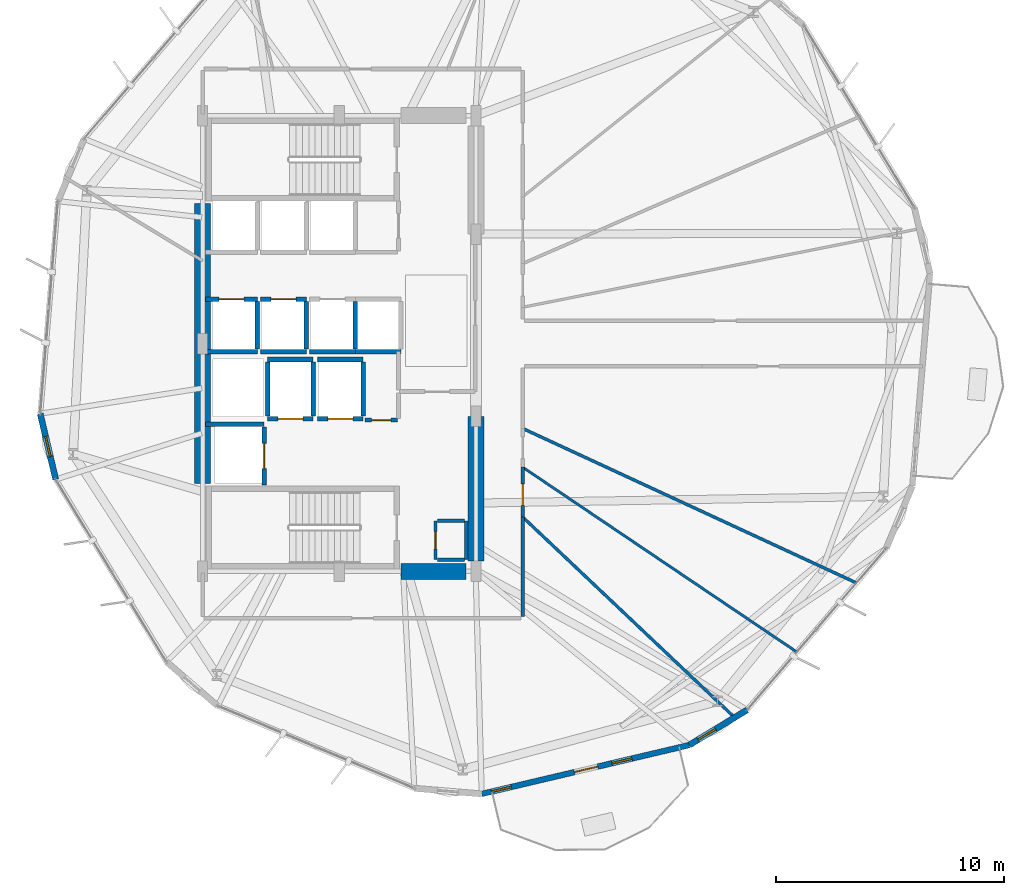
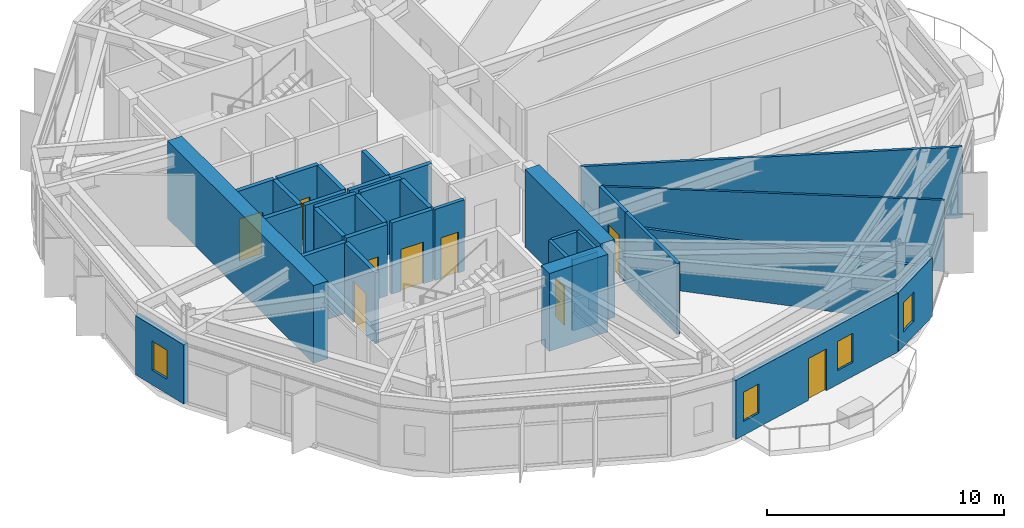
# One storey, part 16 of 21: 34 walls, 9 doors, 4 windows, 13 openings.
"""IFC4 building model written with IfcOpenShell, lengths in metres."""

import ifcopenshell
import ifcopenshell.guid

model = None  # the IFC model being written
_history = None  # IfcOwnerHistory: only IFC2X3 demands one
_inside = {}  # id of a spatial element -> (the spatial element, [elements in it])
_under = {}  # id of a project, library or spatial element -> (it, [spatial elements below it])
_declared = {}  # id of a project -> (the project, [libraries it declares])
_typed = {}  # id of a type object -> (the type object, [elements of that type])
_made_of = {}  # id of a material, layer set ... -> (it, [elements and type objects made of it])


def new_model(schema):
    """Start an empty IFC model of exactly this schema.

    Asked for "IFC4X3", IfcOpenShell would pick the latest addendum, in which some entities
    have other attributes; the version numbers below select the first issue.
    IFC2X3 requires an IfcOwnerHistory on every rooted entity: one is made here for all.
    """
    global model, _history
    if schema == "IFC4X3":
        model = ifcopenshell.file(schema_version=(4, 3, 0, 0))
    else:
        model = ifcopenshell.file(schema=schema)
    _inside.clear()
    _under.clear()
    _declared.clear()
    _typed.clear()
    _made_of.clear()
    _history = None
    if model.schema == "IFC2X3":
        org = make("IfcOrganization", Name="unknown")
        user = make(
            "IfcPersonAndOrganization",
            ThePerson=make("IfcPerson", FamilyName="unknown"),
            TheOrganization=org,
        )
        app = make(
            "IfcApplication",
            ApplicationDeveloper=org,
            Version="unknown",
            ApplicationFullName="unknown",
            ApplicationIdentifier="unknown",
        )
        _history = make(
            "IfcOwnerHistory",
            OwningUser=user,
            OwningApplication=app,
            ChangeAction="ADDED",
            CreationDate=0,
        )
    return model


def make(cls, **values):
    """One entity of the class cls with the attributes given. An attribute that is None is left unset."""
    return model.create_entity(
        cls, **{name: value for name, value in values.items() if value is not None}
    )


def rooted(cls, **values):
    """An entity with a GlobalId (a new one), such as an element, a storey or a relation."""
    return make(cls, GlobalId=ifcopenshell.guid.new(), OwnerHistory=_history, **values)


def si_unit(unit_type, name, prefix=None):
    """IfcSIUnit, for example si_unit("LENGTHUNIT", "METRE", prefix="MILLI")."""
    return make("IfcSIUnit", UnitType=unit_type, Prefix=prefix, Name=name)


def assignment(units):
    """IfcUnitAssignment: the units of a project."""
    return None if units is None else make("IfcUnitAssignment", Units=units)


def point(xyz):
    """IfcCartesianPoint."""
    return None if xyz is None else make("IfcCartesianPoint", Coordinates=xyz)


def direction(xyz):
    """IfcDirection."""
    return None if xyz is None else make("IfcDirection", DirectionRatios=xyz)


def frame(location, z_axis=None, x_axis=None):
    """IfcAxis2Placement3D, a coordinate frame: its origin and axes. An axis left out is left unset."""
    return make(
        "IfcAxis2Placement3D",
        Location=point(location),
        Axis=direction(z_axis),
        RefDirection=direction(x_axis),
    )


def frame_2d(location, x_axis=None):
    """IfcAxis2Placement2D, a coordinate frame in the plane: its origin and x axis."""
    return make(
        "IfcAxis2Placement2D", Location=point(location), RefDirection=direction(x_axis)
    )


def origin():
    """The frame at (0, 0, 0) with its axes left unset."""
    return frame((0.0, 0.0, 0.0))


def place(relative_to, where):
    """IfcLocalPlacement: puts the frame where relative to a parent placement (None: the world)."""
    return make(
        "IfcLocalPlacement", PlacementRelTo=relative_to, RelativePlacement=where
    )


def context(
    kind, dimensions, precision=None, world=None, true_north=None, identifier=None
):
    """IfcGeometricRepresentationContext, for example the 3D "Model" context."""
    return make(
        "IfcGeometricRepresentationContext",
        ContextIdentifier=identifier,
        ContextType=kind,
        CoordinateSpaceDimension=dimensions,
        Precision=precision,
        WorldCoordinateSystem=world,
        TrueNorth=true_north,
    )


def subcontext(parent, identifier, kind, view, scale=None):
    """IfcGeometricRepresentationSubContext, for example "Body" below "Model"."""
    return make(
        "IfcGeometricRepresentationSubContext",
        ContextIdentifier=identifier,
        ContextType=kind,
        ParentContext=parent,
        TargetScale=scale,
        TargetView=view,
    )


def project(units=None, contexts=None):
    """IfcProject with its units and contexts."""
    return rooted(
        "IfcProject",
        Name="project",
        RepresentationContexts=contexts,
        UnitsInContext=assignment(units),
    )


def spatial(cls, under=None, at=None, **own):
    """A site, building, storey or space (cls), placed at a placement, below another one or the project."""
    s = rooted(cls, ObjectPlacement=at, **own)
    if under is not None:
        _under.setdefault(under.id(), (under, []))[1].append(s)
    return s


def profile(cls, at=None, kind="AREA", **sizes):
    """A parametric profile (cls). Its sizes go by their IFC names, for example OverallWidth=200.0."""
    return make(cls, ProfileType=kind, Position=at, **sizes)


def rectangle(**sizes):
    """IfcRectangleProfileDef."""
    return profile("IfcRectangleProfileDef", **sizes)


def extrude(swept, where, along, depth):
    """IfcExtrudedAreaSolid: the profile swept, set in the frame where, extruded along a direction by depth."""
    return make(
        "IfcExtrudedAreaSolid",
        SweptArea=swept,
        Position=where,
        ExtrudedDirection=direction(along),
        Depth=depth,
    )


def shape(context_of_items, identifier, shape_type, items):
    """IfcShapeRepresentation: the items that make up one representation, for example the "Body"."""
    return make(
        "IfcShapeRepresentation",
        ContextOfItems=context_of_items,
        RepresentationIdentifier=identifier,
        RepresentationType=shape_type,
        Items=items,
    )


def material(Name=None, Category=None):
    """IfcMaterial."""
    return make("IfcMaterial", Name=Name, Category=Category)


def layer(
    of_material, thickness, ventilated=None, Name=None, Category=None, Priority=None
):
    """IfcMaterialLayer: one layer of a wall or slab, of a material (None: an air gap)."""
    return make(
        "IfcMaterialLayer",
        Material=of_material,
        LayerThickness=thickness,
        IsVentilated=ventilated,
        Name=Name,
        Category=Category,
        Priority=Priority,
    )


def layer_set(layers, Name=None):
    """IfcMaterialLayerSet."""
    return make("IfcMaterialLayerSet", MaterialLayers=layers, LayerSetName=Name)


def made_of(thing, what):
    """Note that an element or type object is made of a material, layer set ...; save() writes the relation."""
    if what is not None:
        _made_of.setdefault(what.id(), (what, []))[1].append(thing)
    return thing


def type_object(cls, material=None, **own):
    """A type object (cls), such as IfcWallType, which elements share."""
    return made_of(rooted(cls, **own), material)


def element(
    cls,
    number,
    at=None,
    inside=None,
    cuts=None,
    type_object=None,
    material=None,
    context=None,
    identifier="Body",
    shape_type=None,
    held_by="IfcProductDefinitionShape",
    body=None,
    shapes=None,
    **own,
):
    """One element of the class cls, such as IfcWall. Its Tag is "e" and its number.

    at: its placement. inside: the storey or other place that contains it. cuts: it is an
    opening in that element (IfcRelVoidsElement). A single representation is given by context,
    identifier, shape_type and body (its items); several are given by shapes. held_by: the class
    of the entity that holds the representations. save() writes the other relations.
    """
    e = rooted(cls, Tag="e%d" % number, ObjectPlacement=at, **own)
    if body is not None:
        shapes = [shape(context, identifier, shape_type, body)]
    if shapes is not None:
        e.Representation = make(held_by, Representations=shapes)
    if inside is not None:
        _inside.setdefault(inside.id(), (inside, []))[1].append(e)
    if cuts is not None:
        rooted(
            "IfcRelVoidsElement", RelatingBuildingElement=cuts, RelatedOpeningElement=e
        )
    if type_object is not None:
        _typed.setdefault(type_object.id(), (type_object, []))[1].append(e)
    return made_of(e, material)


def fill(opening, filler):
    """IfcRelFillsElement: the door or window that sits in an opening."""
    return rooted(
        "IfcRelFillsElement",
        RelatingOpeningElement=opening,
        RelatedBuildingElement=filler,
    )


def aggregate(whole, parts):
    """IfcRelAggregates: a whole, such as a stair, and the parts it consists of."""
    return rooted("IfcRelAggregates", RelatingObject=whole, RelatedObjects=parts)


def save(model, path):
    """Write the relations noted so far, then the file.

    IfcRelAggregates (storeys below a building ...), IfcRelContainedInSpatialStructure (elements
    in a storey), IfcRelDefinesByType, IfcRelAssociatesMaterial and IfcRelDeclares: one each for
    every whole, place, type object, material and project.
    """
    for whole, parts in _under.values():
        aggregate(whole, parts)
    for where, things in _inside.values():
        rooted(
            "IfcRelContainedInSpatialStructure",
            RelatedElements=things,
            RelatingStructure=where,
        )
    for kind, things in _typed.values():
        rooted("IfcRelDefinesByType", RelatedObjects=things, RelatingType=kind)
    for what, things in _made_of.values():
        rooted("IfcRelAssociatesMaterial", RelatedObjects=things, RelatingMaterial=what)
    for by, libraries in _declared.values():
        rooted("IfcRelDeclares", RelatingContext=by, RelatedDefinitions=libraries)
    model.write(path)


model = new_model("IFC4")

# Units and contexts
model_context = context("Model", 3, precision=1e-05, world=origin(), true_north=direction((0.0, 1.0)))
body_context = subcontext(model_context, "Body", "Model", "MODEL_VIEW")
ifc_project = project(units=[si_unit("LENGTHUNIT", "METRE"), si_unit("AREAUNIT", "SQUARE_METRE"), si_unit("VOLUMEUNIT", "CUBIC_METRE"), si_unit("PLANEANGLEUNIT", "RADIAN"), si_unit("MASSUNIT", "GRAM", prefix="KILO")], contexts=[model_context])

# Site, building, storey
site_placement = place(None, origin())
site = spatial("IfcSite", under=ifc_project, at=site_placement, CompositionType="ELEMENT")
building_placement = place(site_placement, origin())
building = spatial("IfcBuilding", under=site, at=building_placement, Name="Soratama Intermodal Tower", CompositionType="ELEMENT")
storey_placement = place(building_placement, frame((0.0, 0.0, 78.60009765625)))
storey = spatial("IfcBuildingStorey", under=building, at=storey_placement, Name="L18", CompositionType="ELEMENT", Elevation=78.60009765625)

# Wall, openings, door, windows
ifc_material_1 = material(Name="Concrete f'c 42 MPa", Category="concrete")
ifc_layer_1 = layer(ifc_material_1, 0.25)
ifc_layer_set_1 = layer_set([ifc_layer_1], Name="Concrete f'c 42 MPa")
wall_type_1 = type_object("IfcWallType", Name="EW-BAL-250", PredefinedType="SOLIDWALL", material=ifc_layer_set_1)
wall_1_placement = place(storey_placement, frame((44.849365234375, 5.232666015625, 0.0), z_axis=(0.0, 0.0, 1.0), x_axis=(0.973339472423, 0.229369290498, 0.0)))
wall_1 = element("IfcWall", 1, at=wall_1_placement, inside=storey, type_object=wall_type_1, Name="L18 Terrace Wall F08", PredefinedType="SOLIDWALL", context=body_context, shape_type="SweptSolid", body=[
    extrude(rectangle(XDim=9.361328125, YDim=0.25, at=frame_2d((4.6806640625, 0.0))), origin(), (0.0, 0.0, 1.0), 3.038818359375),
])
opening_1_placement = place(wall_1_placement, frame((4.1806640625, 0.0, 0.0)))
opening_1 = element("IfcOpeningElement", 2, at=opening_1_placement, cuts=wall_1, Name="Opening ED-5", PredefinedType="OPENING", context=body_context, shape_type="SweptSolid", body=[
    extrude(rectangle(XDim=1.050048828125, YDim=2.14990234375, at=frame_2d((0.52490234375, 1.074951171875))), frame((0.0, 0.135009765625, 0.0), z_axis=(0.0, -1.0, 0.0), x_axis=(1.0, 0.0, 0.0)), (0.0, 0.0, 1.0), 0.27001953125),
])
opening_2_placement = place(wall_1_placement, frame((0.43994140625, 0.0, 0.719970703125)))
opening_2 = element("IfcOpeningElement", 3, at=opening_2_placement, cuts=wall_1, Name="Opening WN-6", PredefinedType="OPENING", context=body_context, shape_type="SweptSolid", body=[
    extrude(rectangle(XDim=0.89990234375, YDim=1.5, at=frame_2d((0.449951171875, 0.75))), frame((0.0, 0.135009765625, 0.0), z_axis=(0.0, -1.0, 0.0), x_axis=(1.0, 0.0, 0.0)), (0.0, 0.0, 1.0), 0.27001953125),
])
opening_3_placement = place(wall_1_placement, frame((5.87060546875, 0.0, 0.719970703125)))
opening_3 = element("IfcOpeningElement", 4, at=opening_3_placement, cuts=wall_1, Name="Opening WN-6", PredefinedType="OPENING", context=body_context, shape_type="SweptSolid", body=[
    extrude(rectangle(XDim=0.89990234375, YDim=1.5, at=frame_2d((0.449951171875, 0.75))), frame((0.0, 0.135009765625, 0.0), z_axis=(0.0, -1.0, 0.0), x_axis=(1.0, 0.0, 0.0)), (0.0, 0.0, 1.0), 0.27001953125),
])
ifc_material_2 = material(Name="Double-glazed aluminium door", Category="aluminium")
door_type_1 = type_object("IfcDoorType", Name="DR-BAL-1050", OperationType="NOTDEFINED", PredefinedType="DOOR", material=ifc_material_2)
door_1_placement = place(opening_1_placement, origin())
door_1 = element("IfcDoor", 5, at=door_1_placement, inside=storey, type_object=door_type_1, Name="L18 Balcony Door F08", OperationType="SINGLE_SWING_RIGHT", OverallHeight=2.14990234375, OverallWidth=1.050048828125, PredefinedType="DOOR", context=body_context, shape_type="SweptSolid", body=[
    extrude(rectangle(XDim=1.050048828125, YDim=2.14990234375, at=frame_2d((0.52490234375, 1.074951171875))), frame((0.0, 0.02490234375, 0.0), z_axis=(0.0, -1.0, 0.0), x_axis=(1.0, 0.0, 0.0)), (0.0, 0.0, 1.0), 0.050048828125),
])
fill(opening_1, door_1)
ifc_material_3 = material(Name="Double-glazed aluminium window", Category="aluminium")
window_type = type_object("IfcWindowType", Name="WN-FAC-900", PartitioningType="SINGLE_PANEL", PredefinedType="WINDOW", material=ifc_material_3)
window_1_placement = place(opening_2_placement, origin())
window_1 = element("IfcWindow", 6, at=window_1_placement, inside=storey, type_object=window_type, Name="L18 Window A F08", OverallHeight=1.5, OverallWidth=0.89990234375, PartitioningType="SINGLE_PANEL", PredefinedType="WINDOW", context=body_context, shape_type="SweptSolid", body=[
    extrude(rectangle(XDim=0.89990234375, YDim=1.5, at=frame_2d((0.449951171875, 0.75))), frame((0.0, 0.030029296875, 0.0), z_axis=(0.0, -1.0, 0.0), x_axis=(1.0, 0.0, 0.0)), (0.0, 0.0, 1.0), 0.06005859375),
])
fill(opening_2, window_1)
window_2_placement = place(opening_3_placement, origin())
window_2 = element("IfcWindow", 7, at=window_2_placement, inside=storey, type_object=window_type, Name="L18 Window B F08", OverallHeight=1.5, OverallWidth=0.89990234375, PartitioningType="SINGLE_PANEL", PredefinedType="WINDOW", context=body_context, shape_type="SweptSolid", body=[
    extrude(rectangle(XDim=0.89990234375, YDim=1.5, at=frame_2d((0.449951171875, 0.75))), frame((0.0, 0.030029296875, 0.0), z_axis=(0.0, -1.0, 0.0), x_axis=(1.0, 0.0, 0.0)), (0.0, 0.0, 1.0), 0.06005859375),
])
fill(opening_3, window_2)

# Wall, opening, window
ifc_material_4 = material(Name="Concrete f'c 42 MPa", Category="concrete")
ifc_layer_2 = layer(ifc_material_4, 0.27001953125)
ifc_layer_set_2 = layer_set([ifc_layer_2], Name="Concrete f'c 42 MPa")
wall_type_2 = type_object("IfcWallType", Name="EW-CRN-270", PredefinedType="SOLIDWALL", material=ifc_layer_set_2)
wall_2_placement = place(storey_placement, frame((25.47314453125, 21.92236328125, 0.0), z_axis=(0.0, 0.0, 1.0), x_axis=(0.229365005804, -0.973340482109, 0.0)))
wall_2 = element("IfcWall", 8, at=wall_2_placement, inside=storey, type_object=wall_type_2, Name="L18 Corner Closure Wall 05", PredefinedType="SOLIDWALL", context=body_context, shape_type="SweptSolid", body=[
    extrude(rectangle(XDim=2.966552734375, YDim=0.27001953125, at=frame_2d((1.4833984375, 0.0))), origin(), (0.0, 0.0, 1.0), 3.038818359375),
])
opening_4_placement = place(wall_2_placement, frame((1.033203125, 0.0, 0.75)))
opening_4 = element("IfcOpeningElement", 9, at=opening_4_placement, cuts=wall_2, Name="Opening WN-6", PredefinedType="OPENING", context=body_context, shape_type="SweptSolid", body=[
    extrude(rectangle(XDim=0.89990234375, YDim=1.5, at=frame_2d((0.449951171875, 0.75))), frame((0.0, 0.14501953125, 0.0), z_axis=(0.0, -1.0, 0.0), x_axis=(1.0, 0.0, 0.0)), (0.0, 0.0, 1.0), 0.2900390625),
])
window_3_placement = place(opening_4_placement, origin())
window_3 = element("IfcWindow", 10, at=window_3_placement, inside=storey, type_object=window_type, Name="L18 Corner Window 05", OverallHeight=1.5, OverallWidth=0.89990234375, PartitioningType="SINGLE_PANEL", PredefinedType="WINDOW", context=body_context, shape_type="SweptSolid", body=[
    extrude(rectangle(XDim=0.89990234375, YDim=1.5, at=frame_2d((0.449951171875, 0.75))), frame((0.0, 0.030029296875, 0.0), z_axis=(0.0, -1.0, 0.0), x_axis=(1.0, 0.0, 0.0)), (0.0, 0.0, 1.0), 0.06005859375),
])
fill(opening_4, window_3)

wall_3_placement = place(storey_placement, frame((53.961181640625, 7.3798828125, 0.0), z_axis=(0.0, 0.0, 1.0), x_axis=(0.854838363076, 0.518894375584, 0.0)))
wall_3 = element("IfcWall", 11, at=wall_3_placement, inside=storey, type_object=wall_type_2, Name="L18 Corner Closure Wall 08", PredefinedType="SOLIDWALL", context=body_context, shape_type="SweptSolid", body=[
    extrude(rectangle(XDim=2.966552734375, YDim=0.27001953125, at=frame_2d((1.4833984375, 0.0))), origin(), (0.0, 0.0, 1.0), 3.038818359375),
])
opening_5_placement = place(wall_3_placement, frame((0.449951171875, 0.0, 0.75)))
opening_5 = element("IfcOpeningElement", 12, at=opening_5_placement, cuts=wall_3, Name="Opening WN-6", PredefinedType="OPENING", context=body_context, shape_type="SweptSolid", body=[
    extrude(rectangle(XDim=0.89990234375, YDim=1.5, at=frame_2d((0.449951171875, 0.75))), frame((0.0, 0.14501953125, 0.0), z_axis=(0.0, -1.0, 0.0), x_axis=(1.0, 0.0, 0.0)), (0.0, 0.0, 1.0), 0.2900390625),
])
window_4_placement = place(opening_5_placement, origin())
window_4 = element("IfcWindow", 13, at=window_4_placement, inside=storey, type_object=window_type, Name="L18 Corner Window 08", OverallHeight=1.5, OverallWidth=0.89990234375, PartitioningType="SINGLE_PANEL", PredefinedType="WINDOW", context=body_context, shape_type="SweptSolid", body=[
    extrude(rectangle(XDim=0.89990234375, YDim=1.5, at=frame_2d((0.449951171875, 0.75))), frame((0.0, 0.030029296875, 0.0), z_axis=(0.0, -1.0, 0.0), x_axis=(1.0, 0.0, 0.0)), (0.0, 0.0, 1.0), 0.06005859375),
])
fill(opening_5, window_4)

# Walls
ifc_material_5 = material(Name="Fire-rated gypsum stud partition", Category="concrete")
ifc_layer_3 = layer(ifc_material_5, 0.14990234375)
ifc_layer_set_3 = layer_set([ifc_layer_3], Name="Fire-rated gypsum stud partition")
wall_type_3 = type_object("IfcWallType", Name="IW-PART-R150", PredefinedType="PARTITIONING", material=ifc_layer_set_3)
for number, where, z_axis, x_axis, name in (
    (14, (42.89990234375, 15.52001953125, 0.0), (0.0, 0.0, 1.0), (1.0, 0.0, 0.0), "L18 Riser Wall S"),
    (15, (42.89990234375, 17.219970703125, 0.0), (0.0, 0.0, 1.0), (1.0, 0.0, 0.0), "L18 Riser Wall N"),
):
    element("IfcWall", number, at=place(storey_placement, frame(where, z_axis=z_axis, x_axis=x_axis)), inside=storey, type_object=wall_type_3, Name=name, PredefinedType="PARTITIONING", context=body_context, shape_type="SweptSolid", body=[
        extrude(rectangle(XDim=1.2001953125, YDim=0.14990234375, at=frame_2d((0.60009765625, 0.0))), origin(), (0.0, 0.0, 1.0), 3.659912109375),
    ])
wall_4_placement = place(storey_placement, frame((44.179931640625, 15.52001953125, 0.0), z_axis=(0.0, 0.0, 1.0), x_axis=(0.0, 1.0, 0.0)))
element("IfcWall", 16, at=wall_4_placement, inside=storey, type_object=wall_type_3, Name="L18 Riser Wall E", PredefinedType="PARTITIONING", context=body_context, shape_type="SweptSolid", body=[
    extrude(rectangle(XDim=1.699951171875, YDim=0.14990234375, at=frame_2d((0.85009765625, 0.0))), origin(), (0.0, 0.0, 1.0), 3.659912109375),
])

# Wall, opening, door
wall_5_placement = place(storey_placement, frame((42.820068359375, 15.52001953125, 0.0), z_axis=(0.0, 0.0, 1.0), x_axis=(0.0, 1.0, 0.0)))
wall_5 = element("IfcWall", 17, at=wall_5_placement, inside=storey, type_object=wall_type_3, Name="L18 Riser Front Wall", PredefinedType="PARTITIONING", context=body_context, shape_type="SweptSolid", body=[
    extrude(rectangle(XDim=1.699951171875, YDim=0.14990234375, at=frame_2d((0.85009765625, 0.0))), origin(), (0.0, 0.0, 1.0), 3.659912109375),
])
opening_6_placement = place(wall_5_placement, frame((0.469970703125, 0.0, 0.0)))
opening_6 = element("IfcOpeningElement", 18, at=opening_6_placement, cuts=wall_5, Name="Opening TD-1", PredefinedType="OPENING", context=body_context, shape_type="SweptSolid", body=[
    extrude(rectangle(XDim=0.760009765625, YDim=2.0, at=frame_2d((0.3798828125, 1.0))), frame((0.0, 0.0849609375, 0.0), z_axis=(0.0, -1.0, 0.0), x_axis=(1.0, 0.0, 0.0)), (0.0, 0.0, 1.0), 0.169921875),
])
ifc_material_6 = material(Name="Steel fire door", Category="steel")
door_type_2 = type_object("IfcDoorType", Name="DR-RISER-TRAP", OperationType="NOTDEFINED", PredefinedType="TRAPDOOR", material=ifc_material_6)
door_2_placement = place(opening_6_placement, origin())
door_2 = element("IfcDoor", 19, at=door_2_placement, inside=storey, type_object=door_type_2, Name="L18 Riser Inspection Door", OperationType="SINGLE_SWING_LEFT", OverallHeight=2.0, OverallWidth=0.760009765625, PredefinedType="TRAPDOOR", context=body_context, shape_type="SweptSolid", body=[
    extrude(rectangle(XDim=0.760009765625, YDim=2.0, at=frame_2d((0.3798828125, 1.0))), frame((0.0, 0.02490234375, 0.0), z_axis=(0.0, -1.0, 0.0), x_axis=(1.0, 0.0, 0.0)), (0.0, 0.0, 1.0), 0.050048828125),
])
fill(opening_6, door_2)

# Wall
ifc_material_7 = material(Name="Fire-rated gypsum stud partition", Category="concrete")
ifc_layer_4 = layer(ifc_material_7, 0.159912109375)
ifc_layer_set_4 = layer_set([ifc_layer_4], Name="Fire-rated gypsum stud partition")
wall_type_4 = type_object("IfcWallType", Name="IW-PART-R160", PredefinedType="PARTITIONING", material=ifc_layer_set_4)
wall_6_placement = place(storey_placement, frame((46.64990234375, 17.384033203125, 0.0), z_axis=(0.0, 0.0, 1.0), x_axis=(0.0, -1.0, 0.0)))
element("IfcWall", 20, at=wall_6_placement, inside=storey, type_object=wall_type_4, Name="L18 Partition W-L18-TP017", PredefinedType="PARTITIONING", context=body_context, shape_type="SweptSolid", body=[
    extrude(rectangle(XDim=4.364013671875, YDim=0.159912109375, at=frame_2d((2.18212890625, 0.0))), origin(), (0.0, 0.0, 1.0), 3.659912109375),
])

# Wall, opening, door
wall_7_placement = place(storey_placement, frame((46.64990234375, 19.572021484375, 0.0), z_axis=(0.0, 0.0, 1.0), x_axis=(0.0, -1.0, 0.0)))
wall_7 = element("IfcWall", 21, at=wall_7_placement, inside=storey, type_object=wall_type_4, Name="L18 Partition W-L18-TP024", PredefinedType="PARTITIONING", context=body_context, shape_type="SweptSolid", body=[
    extrude(rectangle(XDim=2.18798828125, YDim=0.159912109375, at=frame_2d((1.093994140625, 0.0))), origin(), (0.0, 0.0, 1.0), 3.659912109375),
])
opening_7_placement = place(wall_7_placement, frame((0.72802734375, 0.0, 0.0)))
opening_7 = element("IfcOpeningElement", 22, at=opening_7_placement, cuts=wall_7, Name="Opening ID-3", PredefinedType="OPENING", context=body_context, shape_type="SweptSolid", body=[
    extrude(rectangle(XDim=0.949951171875, YDim=2.14990234375, at=frame_2d((0.47509765625, 1.074951171875))), frame((0.0, 0.08984375, 0.0), z_axis=(0.0, -1.0, 0.0), x_axis=(1.0, 0.0, 0.0)), (0.0, 0.0, 1.0), 0.179931640625),
])
ifc_material_8 = material(Name="Solid hardwood acoustic door", Category="wood")
door_type_3 = type_object("IfcDoorType", Name="DR-ROOM-950", OperationType="NOTDEFINED", PredefinedType="DOOR", material=ifc_material_8)
door_3_placement = place(opening_7_placement, origin())
door_3 = element("IfcDoor", 23, at=door_3_placement, inside=storey, type_object=door_type_3, Name="L18 Door D-L18-TP011", OperationType="SINGLE_SWING_RIGHT", OverallHeight=2.14990234375, OverallWidth=0.949951171875, PredefinedType="DOOR", context=body_context, shape_type="SweptSolid", body=[
    extrude(rectangle(XDim=0.949951171875, YDim=2.14990234375, at=frame_2d((0.47509765625, 1.074951171875))), frame((0.0, 0.02490234375, 0.0), z_axis=(0.0, -1.0, 0.0), x_axis=(1.0, 0.0, 0.0)), (0.0, 0.0, 1.0), 0.050048828125),
])
fill(opening_7, door_3)

ifc_material_9 = material(Name="Fire-rated gypsum stud partition", Category="concrete")
ifc_layer_5 = layer(ifc_material_9, 0.169921875)
ifc_layer_set_5 = layer_set([ifc_layer_5], Name="Fire-rated gypsum stud partition")
wall_type_5 = type_object("IfcWallType", Name="IW-PART-R170", PredefinedType="PARTITIONING", material=ifc_layer_set_5)
wall_8_placement = place(storey_placement, frame((39.719970703125, 21.639892578125, 0.0), z_axis=(0.0, 0.0, 1.0), x_axis=(1.0, 0.0, 0.0)))
wall_8 = element("IfcWall", 24, at=wall_8_placement, inside=storey, type_object=wall_type_5, Name="L18 Partition W-L18-TP031", PredefinedType="PARTITIONING", context=body_context, shape_type="SweptSolid", body=[
    extrude(rectangle(XDim=1.43994140625, YDim=0.169921875, at=frame_2d((0.719970703125, 0.0))), origin(), (0.0, 0.0, 1.0), 3.659912109375),
])
opening_8_placement = place(wall_8_placement, frame((0.294921875, 0.0, 0.0)))
opening_8 = element("IfcOpeningElement", 25, at=opening_8_placement, cuts=wall_8, Name="Opening ID-4", PredefinedType="OPENING", context=body_context, shape_type="SweptSolid", body=[
    extrude(rectangle(XDim=0.85009765625, YDim=2.10009765625, at=frame_2d((0.425048828125, 1.050048828125))), frame((0.0, 0.094970703125, 0.0), z_axis=(0.0, -1.0, 0.0), x_axis=(1.0, 0.0, 0.0)), (0.0, 0.0, 1.0), 0.18994140625),
])
ifc_material_10 = material(Name="Solid hardwood acoustic door", Category="wood")
door_type_4 = type_object("IfcDoorType", Name="DR-BATH-850", OperationType="NOTDEFINED", PredefinedType="DOOR", material=ifc_material_10)
door_4_placement = place(opening_8_placement, origin())
door_4 = element("IfcDoor", 26, at=door_4_placement, inside=storey, type_object=door_type_4, Name="L18 Door D-L18-TP014", OperationType="SINGLE_SWING_LEFT", OverallHeight=2.10009765625, OverallWidth=0.85009765625, PredefinedType="DOOR", context=body_context, shape_type="SweptSolid", body=[
    extrude(rectangle(XDim=0.85009765625, YDim=2.10009765625, at=frame_2d((0.425048828125, 1.050048828125))), frame((0.0, 0.02490234375, 0.0), z_axis=(0.0, -1.0, 0.0), x_axis=(1.0, 0.0, 0.0)), (0.0, 0.0, 1.0), 0.050048828125),
])
fill(opening_8, door_4)

# Walls
ifc_material_11 = material(Name="Fire-rated gypsum stud partition", Category="concrete")
ifc_layer_6 = layer(ifc_material_11, 0.110107421875)
ifc_layer_set_6 = layer_set([ifc_layer_6], Name="Fire-rated gypsum stud partition")
wall_type_6 = type_object("IfcWallType", Name="IW-PART-S110", PredefinedType="PARTITIONING", material=ifc_layer_set_6)
wall_9_placement = place(storey_placement, frame((46.64990234375, 19.572021484375, 0.0), z_axis=(0.0, 0.0, 1.0), x_axis=(0.82919016121, -0.558966614881, 0.0)))
element("IfcWall", 27, at=wall_9_placement, inside=storey, type_object=wall_type_6, Name="L18 Partition W-L18-TP005", PredefinedType="PARTITIONING", context=body_context, shape_type="SweptSolid", body=[
    extrude(rectangle(XDim=14.514404296875, YDim=0.110107421875, at=frame_2d((7.25732421875, 0.0))), origin(), (0.0, 0.0, 1.0), 3.659912109375),
])
ifc_material_12 = material(Name="Fire-rated gypsum stud partition", Category="concrete")
ifc_layer_7 = layer(ifc_material_12, 0.1298828125)
ifc_layer_set_7 = layer_set([ifc_layer_7], Name="Fire-rated gypsum stud partition")
wall_type_7 = type_object("IfcWallType", Name="IW-PART-S130", PredefinedType="PARTITIONING", material=ifc_layer_set_7)
wall_10_placement = place(storey_placement, frame((46.64990234375, 21.27294921875, 0.0), z_axis=(0.0, 0.0, 1.0), x_axis=(0.90750331807, -0.420044911517, 0.0)))
element("IfcWall", 28, at=wall_10_placement, inside=storey, type_object=wall_type_7, Name="L18 Partition W-L18-TP003", PredefinedType="PARTITIONING", context=body_context, shape_type="SweptSolid", body=[
    extrude(rectangle(XDim=16.14111328125, YDim=0.1298828125, at=frame_2d((8.070556640625, 0.0))), origin(), (0.0, 0.0, 1.0), 3.659912109375),
])
wall_11_placement = place(storey_placement, frame((46.64990234375, 17.384033203125, 0.0), z_axis=(0.0, 0.0, 1.0), x_axis=(0.726485012511, -0.687182309578, 0.0)))
element("IfcWall", 29, at=wall_11_placement, inside=storey, type_object=wall_type_7, Name="L18 Partition W-L18-TP008", PredefinedType="PARTITIONING", context=body_context, shape_type="SweptSolid", body=[
    extrude(rectangle(XDim=12.90185546875, YDim=0.1298828125, at=frame_2d((6.450927734375, 0.0))), origin(), (0.0, 0.0, 1.0), 2.954833984375),
])

# Wall, opening, door
ifc_material_13 = material(Name="Concrete f'c 42 MPa", Category="concrete")
ifc_layer_8 = layer(ifc_material_13, 0.199951171875)
ifc_layer_set_8 = layer_set([ifc_layer_8], Name="Concrete f'c 42 MPa")
wall_type_8 = type_object("IfcWallType", Name="IW-SHAFT-200", PredefinedType="SOLIDWALL", material=ifc_layer_set_8)
wall_12_placement = place(storey_placement, frame((35.449951171875, 21.699951171875, 0.0), z_axis=(0.0, 0.0, 1.0), x_axis=(1.0, 0.0, 0.0)))
wall_12 = element("IfcWall", 30, at=wall_12_placement, inside=storey, type_object=wall_type_8, Name="L18 FFL-1 Hoistway Wall S", PredefinedType="SOLIDWALL", context=body_context, shape_type="SweptSolid", body=[
    extrude(rectangle(XDim=2.0, YDim=0.199951171875, at=frame_2d((1.0, 0.0))), origin(), (0.0, 0.0, 1.0), 3.659912109375),
])
opening_9_placement = place(wall_12_placement, frame((0.449951171875, 0.0, 0.0)))
opening_9 = element("IfcOpeningElement", 31, at=opening_9_placement, cuts=wall_12, Name="Opening LD-1", PredefinedType="OPENING", context=body_context, shape_type="SweptSolid", body=[
    extrude(rectangle(XDim=1.10009765625, YDim=2.14990234375, at=frame_2d((0.550048828125, 1.074951171875))), frame((0.0, 0.10986328125, 0.0), z_axis=(0.0, -1.0, 0.0), x_axis=(1.0, 0.0, 0.0)), (0.0, 0.0, 1.0), 0.219970703125),
])
ifc_material_14 = material(Name="Steel fire door", Category="steel")
door_type_5 = type_object("IfcDoorType", Name="DR-LIFT-SLIDE", OperationType="NOTDEFINED", PredefinedType="DOOR", material=ifc_material_14)
door_5_placement = place(opening_9_placement, origin())
door_5 = element("IfcDoor", 32, at=door_5_placement, inside=storey, type_object=door_type_5, Name="L18 FFL-1 Sliding Landing Door", OperationType="SLIDING_TO_LEFT", OverallHeight=2.14990234375, OverallWidth=1.10009765625, PredefinedType="DOOR", context=body_context, shape_type="SweptSolid", body=[
    extrude(rectangle(XDim=1.10009765625, YDim=2.14990234375, at=frame_2d((0.550048828125, 1.074951171875))), frame((0.0, 0.02490234375, 0.0), z_axis=(0.0, -1.0, 0.0), x_axis=(1.0, 0.0, 0.0)), (0.0, 0.0, 1.0), 0.050048828125),
])
fill(opening_9, door_5)

# Walls
wall_13_placement = place(storey_placement, frame((35.449951171875, 24.300048828125, 0.0), z_axis=(0.0, 0.0, 1.0), x_axis=(1.0, 0.0, 0.0)))
element("IfcWall", 33, at=wall_13_placement, inside=storey, type_object=wall_type_8, Name="L18 FFL-1 Hoistway Wall N", PredefinedType="SOLIDWALL", context=body_context, shape_type="SweptSolid", body=[
    extrude(rectangle(XDim=2.0, YDim=0.199951171875, at=frame_2d((1.0, 0.0))), origin(), (0.0, 0.0, 1.0), 3.659912109375),
])
for number, where, z_axis, x_axis, name in (
    (34, (35.449951171875, 21.81005859375, 0.0), (0.0, 0.0, 1.0), (0.0, 1.0, 0.0), "L18 FFL-1 Hoistway Wall W"),
    (35, (37.449951171875, 21.81005859375, 0.0), (0.0, 0.0, 1.0), (0.0, 1.0, 0.0), "L18 FFL-1 Hoistway Wall E"),
):
    element("IfcWall", number, at=place(storey_placement, frame(where, z_axis=z_axis, x_axis=x_axis)), inside=storey, type_object=wall_type_8, Name=name, PredefinedType="SOLIDWALL", context=body_context, shape_type="SweptSolid", body=[
        extrude(rectangle(XDim=2.3798828125, YDim=0.199951171875, at=frame_2d((1.18994140625, 0.0))), origin(), (0.0, 0.0, 1.0), 3.659912109375),
    ])

# Wall, opening, door
wall_14_placement = place(storey_placement, frame((37.64990234375, 21.699951171875, 0.0), z_axis=(0.0, 0.0, 1.0), x_axis=(1.0, 0.0, 0.0)))
wall_14 = element("IfcWall", 36, at=wall_14_placement, inside=storey, type_object=wall_type_8, Name="L18 FFL-2 Hoistway Wall S", PredefinedType="SOLIDWALL", context=body_context, shape_type="SweptSolid", body=[
    extrude(rectangle(XDim=2.0, YDim=0.199951171875, at=frame_2d((1.0, 0.0))), origin(), (0.0, 0.0, 1.0), 3.659912109375),
])
opening_10_placement = place(wall_14_placement, frame((0.449951171875, 0.0, 0.0)))
opening_10 = element("IfcOpeningElement", 37, at=opening_10_placement, cuts=wall_14, Name="Opening LD-1", PredefinedType="OPENING", context=body_context, shape_type="SweptSolid", body=[
    extrude(rectangle(XDim=1.10009765625, YDim=2.14990234375, at=frame_2d((0.550048828125, 1.074951171875))), frame((0.0, 0.10986328125, 0.0), z_axis=(0.0, -1.0, 0.0), x_axis=(1.0, 0.0, 0.0)), (0.0, 0.0, 1.0), 0.219970703125),
])
door_6_placement = place(opening_10_placement, origin())
door_6 = element("IfcDoor", 38, at=door_6_placement, inside=storey, type_object=door_type_5, Name="L18 FFL-2 Sliding Landing Door", OperationType="SLIDING_TO_LEFT", OverallHeight=2.14990234375, OverallWidth=1.10009765625, PredefinedType="DOOR", context=body_context, shape_type="SweptSolid", body=[
    extrude(rectangle(XDim=1.10009765625, YDim=2.14990234375, at=frame_2d((0.550048828125, 1.074951171875))), frame((0.0, 0.02490234375, 0.0), z_axis=(0.0, -1.0, 0.0), x_axis=(1.0, 0.0, 0.0)), (0.0, 0.0, 1.0), 0.050048828125),
])
fill(opening_10, door_6)

# Walls
wall_15_placement = place(storey_placement, frame((37.64990234375, 24.300048828125, 0.0), z_axis=(0.0, 0.0, 1.0), x_axis=(1.0, 0.0, 0.0)))
element("IfcWall", 39, at=wall_15_placement, inside=storey, type_object=wall_type_8, Name="L18 FFL-2 Hoistway Wall N", PredefinedType="SOLIDWALL", context=body_context, shape_type="SweptSolid", body=[
    extrude(rectangle(XDim=2.0, YDim=0.199951171875, at=frame_2d((1.0, 0.0))), origin(), (0.0, 0.0, 1.0), 3.659912109375),
])
wall_16_placement = place(storey_placement, frame((39.64990234375, 21.81005859375, 0.0), z_axis=(0.0, 0.0, 1.0), x_axis=(0.0, 1.0, 0.0)))
element("IfcWall", 40, at=wall_16_placement, inside=storey, type_object=wall_type_8, Name="L18 FFL-2 Hoistway Wall E", PredefinedType="SOLIDWALL", context=body_context, shape_type="SweptSolid", body=[
    extrude(rectangle(XDim=2.3798828125, YDim=0.199951171875, at=frame_2d((1.18994140625, 0.0))), origin(), (0.0, 0.0, 1.0), 3.659912109375),
])
wall_17_placement = place(storey_placement, frame((32.719970703125, 21.449951171875, 0.0), z_axis=(0.0, 0.0, 1.0), x_axis=(1.0, 0.0, 0.0)))
element("IfcWall", 41, at=wall_17_placement, inside=storey, type_object=wall_type_8, Name="L18 SVL-1 Hoistway Wall N", PredefinedType="SOLIDWALL", context=body_context, shape_type="SweptSolid", body=[
    extrude(rectangle(XDim=2.580078125, YDim=0.199951171875, at=frame_2d((1.2900390625, 0.0))), origin(), (0.0, 0.0, 1.0), 3.659912109375),
])

# Wall, opening, door
wall_18_placement = place(storey_placement, frame((35.300048828125, 18.7900390625, 0.0), z_axis=(0.0, 0.0, 1.0), x_axis=(0.0, 1.0, 0.0)))
wall_18 = element("IfcWall", 42, at=wall_18_placement, inside=storey, type_object=wall_type_8, Name="L18 SVL-1 Hoistway Wall E", PredefinedType="SOLIDWALL", context=body_context, shape_type="SweptSolid", body=[
    extrude(rectangle(XDim=2.550048828125, YDim=0.199951171875, at=frame_2d((1.27490234375, 0.0))), origin(), (0.0, 0.0, 1.0), 3.659912109375),
])
opening_11_placement = place(wall_18_placement, frame((0.72509765625, 0.0, 0.0)))
opening_11 = element("IfcOpeningElement", 43, at=opening_11_placement, cuts=wall_18, Name="Opening LD-1", PredefinedType="OPENING", context=body_context, shape_type="SweptSolid", body=[
    extrude(rectangle(XDim=1.10009765625, YDim=2.14990234375, at=frame_2d((0.550048828125, 1.074951171875))), frame((0.0, 0.10986328125, 0.0), z_axis=(0.0, -1.0, 0.0), x_axis=(1.0, 0.0, 0.0)), (0.0, 0.0, 1.0), 0.219970703125),
])
door_7_placement = place(opening_11_placement, origin())
door_7 = element("IfcDoor", 44, at=door_7_placement, inside=storey, type_object=door_type_5, Name="L18 SVL-1 Sliding Landing Door", OperationType="SLIDING_TO_LEFT", OverallHeight=2.14990234375, OverallWidth=1.10009765625, PredefinedType="DOOR", context=body_context, shape_type="SweptSolid", body=[
    extrude(rectangle(XDim=1.10009765625, YDim=2.14990234375, at=frame_2d((0.550048828125, 1.074951171875))), frame((0.0, 0.02490234375, 0.0), z_axis=(0.0, -1.0, 0.0), x_axis=(1.0, 0.0, 0.0)), (0.0, 0.0, 1.0), 0.050048828125),
])
fill(opening_11, door_7)

# Wall
wall_19_placement = place(storey_placement, frame((32.719970703125, 24.64990234375, 0.0), z_axis=(0.0, 0.0, 1.0), x_axis=(1.0, 0.0, 0.0)))
element("IfcWall", 45, at=wall_19_placement, inside=storey, type_object=wall_type_8, Name="L18 PL-L1 Hoistway Wall S", PredefinedType="SOLIDWALL", context=body_context, shape_type="SweptSolid", body=[
    extrude(rectangle(XDim=2.280029296875, YDim=0.199951171875, at=frame_2d((1.14013671875, 0.0))), origin(), (0.0, 0.0, 1.0), 3.659912109375),
])

# Wall, opening, door
wall_20_placement = place(storey_placement, frame((32.719970703125, 26.949951171875, 0.0), z_axis=(0.0, 0.0, 1.0), x_axis=(1.0, 0.0, 0.0)))
wall_20 = element("IfcWall", 46, at=wall_20_placement, inside=storey, type_object=wall_type_8, Name="L18 PL-L1 Hoistway Wall N", PredefinedType="SOLIDWALL", context=body_context, shape_type="SweptSolid", body=[
    extrude(rectangle(XDim=2.280029296875, YDim=0.199951171875, at=frame_2d((1.14013671875, 0.0))), origin(), (0.0, 0.0, 1.0), 3.659912109375),
])
opening_12_placement = place(wall_20_placement, frame((0.590087890625, 0.0, 0.0)))
opening_12 = element("IfcOpeningElement", 47, at=opening_12_placement, cuts=wall_20, Name="Opening LD-1", PredefinedType="OPENING", context=body_context, shape_type="SweptSolid", body=[
    extrude(rectangle(XDim=1.10009765625, YDim=2.14990234375, at=frame_2d((0.550048828125, 1.074951171875))), frame((0.0, 0.10986328125, 0.0), z_axis=(0.0, -1.0, 0.0), x_axis=(1.0, 0.0, 0.0)), (0.0, 0.0, 1.0), 0.219970703125),
])
door_8_placement = place(opening_12_placement, origin())
door_8 = element("IfcDoor", 48, at=door_8_placement, inside=storey, type_object=door_type_5, Name="L18 PL-L1 Sliding Landing Door", OperationType="SLIDING_TO_LEFT", OverallHeight=2.14990234375, OverallWidth=1.10009765625, PredefinedType="DOOR", context=body_context, shape_type="SweptSolid", body=[
    extrude(rectangle(XDim=1.10009765625, YDim=2.14990234375, at=frame_2d((0.550048828125, 1.074951171875))), frame((0.0, 0.02490234375, 0.0), z_axis=(0.0, -1.0, 0.0), x_axis=(1.0, 0.0, 0.0)), (0.0, 0.0, 1.0), 0.050048828125),
])
fill(opening_12, door_8)

# Walls
wall_21_placement = place(storey_placement, frame((35.0, 24.760009765625, 0.0), z_axis=(0.0, 0.0, 1.0), x_axis=(0.0, 1.0, 0.0)))
element("IfcWall", 49, at=wall_21_placement, inside=storey, type_object=wall_type_8, Name="L18 PL-L1 Hoistway Wall E", PredefinedType="SOLIDWALL", context=body_context, shape_type="SweptSolid", body=[
    extrude(rectangle(XDim=2.080078125, YDim=0.199951171875, at=frame_2d((1.0400390625, 0.0))), origin(), (0.0, 0.0, 1.0), 3.659912109375),
])
wall_22_placement = place(storey_placement, frame((35.14990234375, 24.64990234375, 0.0), z_axis=(0.0, 0.0, 1.0), x_axis=(1.0, 0.0, 0.0)))
element("IfcWall", 50, at=wall_22_placement, inside=storey, type_object=wall_type_8, Name="L18 PL-L2 Hoistway Wall S", PredefinedType="SOLIDWALL", context=body_context, shape_type="SweptSolid", body=[
    extrude(rectangle(XDim=2.0, YDim=0.199951171875, at=frame_2d((1.0, 0.0))), origin(), (0.0, 0.0, 1.0), 3.659912109375),
])

# Wall, opening, door
wall_23_placement = place(storey_placement, frame((35.14990234375, 26.949951171875, 0.0), z_axis=(0.0, 0.0, 1.0), x_axis=(1.0, 0.0, 0.0)))
wall_23 = element("IfcWall", 51, at=wall_23_placement, inside=storey, type_object=wall_type_8, Name="L18 PL-L2 Hoistway Wall N", PredefinedType="SOLIDWALL", context=body_context, shape_type="SweptSolid", body=[
    extrude(rectangle(XDim=2.0, YDim=0.199951171875, at=frame_2d((1.0, 0.0))), origin(), (0.0, 0.0, 1.0), 3.659912109375),
])
opening_13_placement = place(wall_23_placement, frame((0.449951171875, 0.0, 0.0)))
opening_13 = element("IfcOpeningElement", 52, at=opening_13_placement, cuts=wall_23, Name="Opening LD-1", PredefinedType="OPENING", context=body_context, shape_type="SweptSolid", body=[
    extrude(rectangle(XDim=1.10009765625, YDim=2.14990234375, at=frame_2d((0.550048828125, 1.074951171875))), frame((0.0, 0.10986328125, 0.0), z_axis=(0.0, -1.0, 0.0), x_axis=(1.0, 0.0, 0.0)), (0.0, 0.0, 1.0), 0.219970703125),
])
door_9_placement = place(opening_13_placement, origin())
door_9 = element("IfcDoor", 53, at=door_9_placement, inside=storey, type_object=door_type_5, Name="L18 PL-L2 Sliding Landing Door", OperationType="SLIDING_TO_LEFT", OverallHeight=2.14990234375, OverallWidth=1.10009765625, PredefinedType="DOOR", context=body_context, shape_type="SweptSolid", body=[
    extrude(rectangle(XDim=1.10009765625, YDim=2.14990234375, at=frame_2d((0.550048828125, 1.074951171875))), frame((0.0, 0.02490234375, 0.0), z_axis=(0.0, -1.0, 0.0), x_axis=(1.0, 0.0, 0.0)), (0.0, 0.0, 1.0), 0.050048828125),
])
fill(opening_13, door_9)

# Walls
wall_24_placement = place(storey_placement, frame((37.14990234375, 24.760009765625, 0.0), z_axis=(0.0, 0.0, 1.0), x_axis=(0.0, 1.0, 0.0)))
element("IfcWall", 54, at=wall_24_placement, inside=storey, type_object=wall_type_8, Name="L18 PL-L2 Hoistway Wall E", PredefinedType="SOLIDWALL", context=body_context, shape_type="SweptSolid", body=[
    extrude(rectangle(XDim=2.080078125, YDim=0.199951171875, at=frame_2d((1.0400390625, 0.0))), origin(), (0.0, 0.0, 1.0), 3.659912109375),
])
wall_25_placement = place(storey_placement, frame((37.300048828125, 24.64990234375, 0.0), z_axis=(0.0, 0.0, 1.0), x_axis=(1.0, 0.0, 0.0)))
element("IfcWall", 55, at=wall_25_placement, inside=storey, type_object=wall_type_8, Name="L18 PL-L3 Hoistway Wall S", PredefinedType="SOLIDWALL", context=body_context, shape_type="SweptSolid", body=[
    extrude(rectangle(XDim=2.0, YDim=0.199951171875, at=frame_2d((1.0, 0.0))), origin(), (0.0, 0.0, 1.0), 3.659912109375),
])
wall_26_placement = place(storey_placement, frame((39.300048828125, 24.760009765625, 0.0), z_axis=(0.0, 0.0, 1.0), x_axis=(0.0, 1.0, 0.0)))
element("IfcWall", 56, at=wall_26_placement, inside=storey, type_object=wall_type_8, Name="L18 PL-L3 Hoistway Wall E", PredefinedType="SOLIDWALL", context=body_context, shape_type="SweptSolid", body=[
    extrude(rectangle(XDim=2.080078125, YDim=0.199951171875, at=frame_2d((1.0400390625, 0.0))), origin(), (0.0, 0.0, 1.0), 3.659912109375),
])
wall_27_placement = place(storey_placement, frame((39.300048828125, 24.64990234375, 0.0), z_axis=(0.0, 0.0, 1.0), x_axis=(1.0, 0.0, 0.0)))
element("IfcWall", 57, at=wall_27_placement, inside=storey, type_object=wall_type_8, Name="L18 PL-M1 Hoistway Wall S", PredefinedType="SOLIDWALL", context=body_context, shape_type="SweptSolid", body=[
    extrude(rectangle(XDim=2.0, YDim=0.199951171875, at=frame_2d((1.0, 0.0))), origin(), (0.0, 0.0, 1.0), 3.659912109375),
])
ifc_material_15 = material(Name="Concrete f'c 56 MPa", Category="concrete")
ifc_layer_9 = layer(ifc_material_15, 0.699951171875)
ifc_layer_set_9 = layer_set([ifc_layer_9], Name="Concrete f'c 56 MPa")
wall_type_9 = type_object("IfcWallType", Name="SW-CORE-700", PredefinedType="SHEAR", material=ifc_layer_set_9)
wall_28_placement = place(storey_placement, frame((32.60009765625, 18.85009765625, 0.0), z_axis=(0.0, 0.0, 1.0), x_axis=(0.0, 1.0, 0.0)))
element("IfcWall", 58, at=wall_28_placement, inside=storey, type_object=wall_type_9, Name="L18 Core Shear Wall CW-WMID", PredefinedType="SHEAR", context=body_context, shape_type="SweptSolid", body=[
    extrude(rectangle(XDim=12.2998046875, YDim=0.699951171875, at=frame_2d((6.14990234375, 0.0))), origin(), (0.0, 0.0, 1.0), 4.0),
])
wall_29_placement = place(storey_placement, frame((41.300048828125, 15.0, 0.0), z_axis=(0.0, 0.0, 1.0), x_axis=(1.0, 0.0, 0.0)))
element("IfcWall", 59, at=wall_29_placement, inside=storey, type_object=wall_type_9, Name="L18 Core Shear Wall CW-SE", PredefinedType="SHEAR", context=body_context, shape_type="SweptSolid", body=[
    extrude(rectangle(XDim=2.849853515625, YDim=0.699951171875, at=frame_2d((1.4248046875, 0.0))), origin(), (0.0, 0.0, 1.0), 4.0),
])
wall_30_placement = place(storey_placement, frame((44.60009765625, 15.449951171875, 0.0), z_axis=(0.0, 0.0, 1.0), x_axis=(0.0, 1.0, 0.0)))
element("IfcWall", 60, at=wall_30_placement, inside=storey, type_object=wall_type_9, Name="L18 Core Shear Wall CW-ES", PredefinedType="SHEAR", context=body_context, shape_type="SweptSolid", body=[
    extrude(rectangle(XDim=6.35009765625, YDim=0.699951171875, at=frame_2d((3.175048828125, 0.0))), origin(), (0.0, 0.0, 1.0), 4.0),
])

save(model, "model.ifc")
